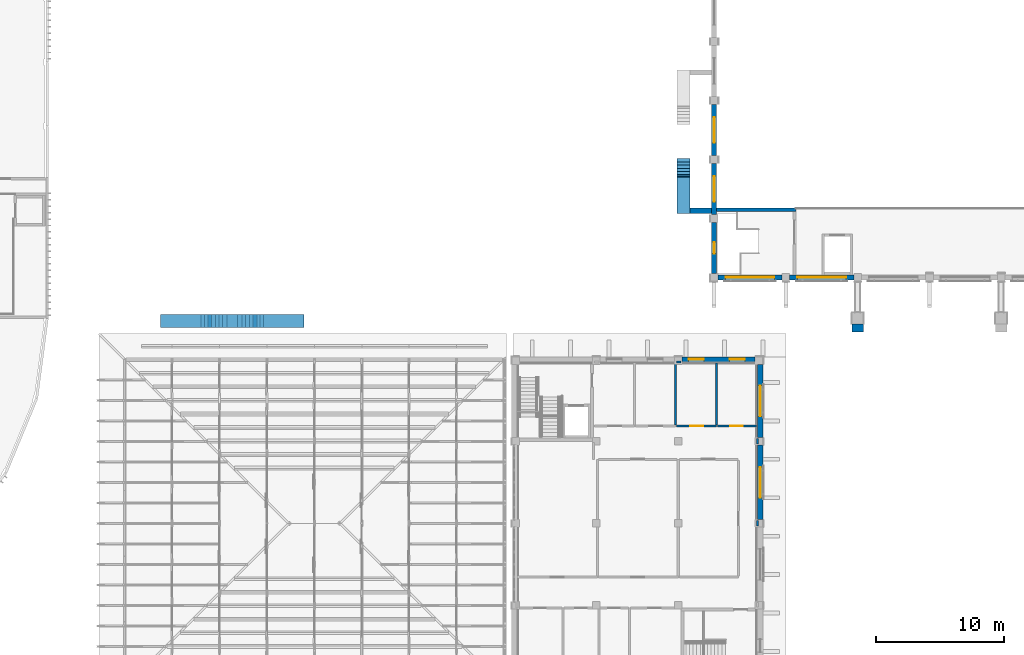
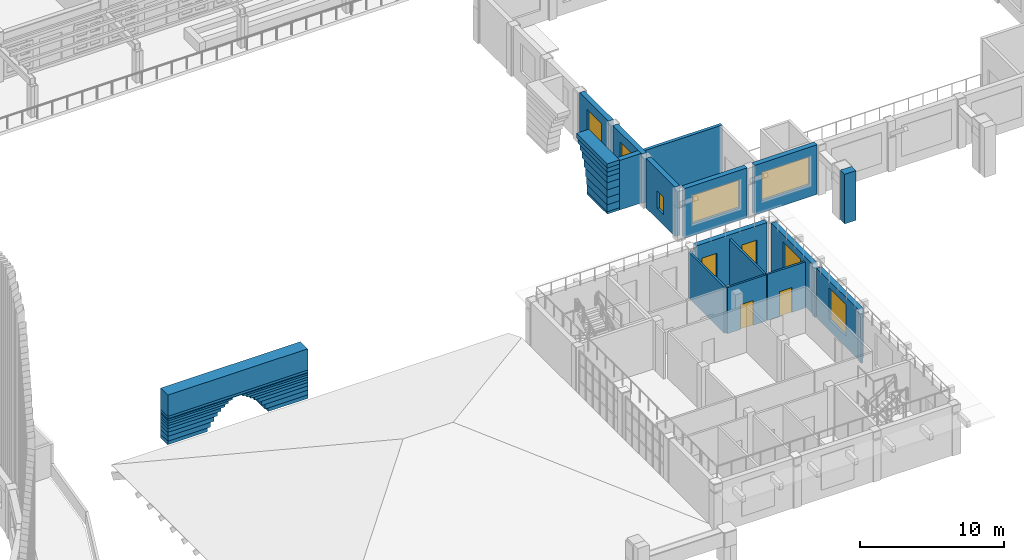
# One storey, part 25 of 68: 46 walls, 9 windows, 2 doors, 11 openings.
"""IFC4 building model written with IfcOpenShell, lengths in metres."""

from ifc_helpers import new_model, si_unit, direction, frame, frame_2d, origin, place, context, subcontext, project, spatial, rectangle, extrude, material, layer, layer_set, type_object, element, fill, save


model = new_model("IFC4")

# Units and contexts
model_context = context("Model", 3, precision=1e-05, world=origin(), true_north=direction((0.0, 1.0)))
body_context = subcontext(model_context, "Body", "Model", "MODEL_VIEW")
ifc_project = project(units=[si_unit("LENGTHUNIT", "METRE"), si_unit("AREAUNIT", "SQUARE_METRE"), si_unit("VOLUMEUNIT", "CUBIC_METRE"), si_unit("PLANEANGLEUNIT", "RADIAN"), si_unit("MASSUNIT", "GRAM", prefix="KILO")], contexts=[model_context])

# Site, building, storey
site_placement = place(None, origin())
site = spatial("IfcSite", under=ifc_project, at=site_placement, CompositionType="ELEMENT")
building_placement = place(site_placement, origin())
building = spatial("IfcBuilding", under=site, at=building_placement, Name="Wasatch Bagh Community Centre", CompositionType="ELEMENT")
storey_placement = place(building_placement, frame((0.0, 0.0, 8.39990234375)))
storey = spatial("IfcBuildingStorey", under=building, at=storey_placement, Name="L02", CompositionType="ELEMENT", Elevation=8.39990234375)

# Walls
ifc_material_1 = material(Name="Concrete C40", Category="concrete")
ifc_layer_1 = layer(ifc_material_1, 0.60009765625)
ifc_layer_set_1 = layer_set([ifc_layer_1], Name="Concrete C40")
wall_type_1 = type_object("IfcWallType", Name="CL-W4", PredefinedType="STANDARD", material=ifc_layer_set_1)
wall_1_placement = place(storey_placement, frame((122.949951171875, 34.25, 0.0), z_axis=(0.0, 0.0, 1.0), x_axis=(1.0, 0.0, 0.0)))
element("IfcWall", 1, at=wall_1_placement, inside=storey, type_object=wall_type_1, Name="CL-W4 pier buttress SHP1", PredefinedType="STANDARD", context=body_context, shape_type="SweptSolid", body=[
    extrude(rectangle(XDim=0.900146484375, YDim=0.60009765625, at=frame_2d((0.4501953125, 0.0))), origin(), (0.0, 0.0, 1.0), 4.2001953125),
])
ifc_layer_2 = layer(ifc_material_1, 1.0)
ifc_layer_set_2 = layer_set([ifc_layer_2], Name="Concrete C40")
wall_type_2 = type_object("IfcWallType", Name="DHPQ-W4", PredefinedType="STANDARD", material=ifc_layer_set_2)
for number, where, z_axis, x_axis, name in (
    (2, (69.0, 34.800048828125, 0.0), (0.0, 0.0, 1.0), (1.0, 0.0, 0.0), "DHPQ-W4 iwan arch spandrel"),
    (3, (80.199951171875, 34.800048828125, 0.0), (0.0, 0.0, 1.0), (-1.0, 0.0, 0.0), "DHPQ-W4 iwan arch spandrel"),
):
    element("IfcWall", number, at=place(storey_placement, frame(where, z_axis=z_axis, x_axis=x_axis)), inside=storey, type_object=wall_type_2, Name=name, PredefinedType="STANDARD", context=body_context, shape_type="SweptSolid", body=[
        extrude(rectangle(XDim=3.171142578125, YDim=1.0, at=frame_2d((1.58544921875, 0.0))), origin(), (0.0, 0.0, 1.0), 0.300048828125),
    ])
for number, where, z_axis, x_axis, name in (
    (4, (69.0, 34.800048828125, 0.300048828125), (0.0, 0.0, 1.0), (1.0, 0.0, 0.0), "DHPQ-W4 iwan arch spandrel"),
    (5, (80.199951171875, 34.800048828125, 0.300048828125), (0.0, 0.0, 1.0), (-1.0, 0.0, 0.0), "DHPQ-W4 iwan arch spandrel"),
):
    element("IfcWall", number, at=place(storey_placement, frame(where, z_axis=z_axis, x_axis=x_axis)), inside=storey, type_object=wall_type_2, Name=name, PredefinedType="STANDARD", context=body_context, shape_type="SweptSolid", body=[
        extrude(rectangle(XDim=3.424072265625, YDim=1.0, at=frame_2d((1.7119140625, 0.0))), origin(), (0.0, 0.0, 1.0), 0.400146484375),
    ])
for number, where, z_axis, x_axis, name in (
    (6, (69.0, 34.800048828125, 0.7001953125), (0.0, 0.0, 1.0), (1.0, 0.0, 0.0), "DHPQ-W4 iwan arch spandrel"),
    (7, (80.199951171875, 34.800048828125, 0.7001953125), (0.0, 0.0, 1.0), (-1.0, 0.0, 0.0), "DHPQ-W4 iwan arch spandrel"),
):
    element("IfcWall", number, at=place(storey_placement, frame(where, z_axis=z_axis, x_axis=x_axis)), inside=storey, type_object=wall_type_2, Name=name, PredefinedType="STANDARD", context=body_context, shape_type="SweptSolid", body=[
        extrude(rectangle(XDim=3.687744140625, YDim=1.0, at=frame_2d((1.84375, 0.0))), origin(), (0.0, 0.0, 1.0), 0.349853515625),
    ])
for number, where, z_axis, x_axis, name in (
    (8, (69.0, 34.800048828125, 1.050048828125), (0.0, 0.0, 1.0), (1.0, 0.0, 0.0), "DHPQ-W4 iwan arch spandrel"),
    (9, (80.199951171875, 34.800048828125, 1.050048828125), (0.0, 0.0, 1.0), (-1.0, 0.0, 0.0), "DHPQ-W4 iwan arch spandrel"),
):
    element("IfcWall", number, at=place(storey_placement, frame(where, z_axis=z_axis, x_axis=x_axis)), inside=storey, type_object=wall_type_2, Name=name, PredefinedType="STANDARD", context=body_context, shape_type="SweptSolid", body=[
        extrude(rectangle(XDim=3.9736328125, YDim=1.0, at=frame_2d((1.98681640625, 0.0))), origin(), (0.0, 0.0, 1.0), 0.300048828125),
    ])
for number, where, z_axis, x_axis, name in (
    (10, (69.0, 34.800048828125, 1.35009765625), (0.0, 0.0, 1.0), (1.0, 0.0, 0.0), "DHPQ-W4 iwan arch spandrel"),
    (11, (80.199951171875, 34.800048828125, 1.35009765625), (0.0, 0.0, 1.0), (-1.0, 0.0, 0.0), "DHPQ-W4 iwan arch spandrel"),
):
    element("IfcWall", number, at=place(storey_placement, frame(where, z_axis=z_axis, x_axis=x_axis)), inside=storey, type_object=wall_type_2, Name=name, PredefinedType="STANDARD", context=body_context, shape_type="SweptSolid", body=[
        extrude(rectangle(XDim=4.27099609375, YDim=1.0, at=frame_2d((2.135498046875, 0.0))), origin(), (0.0, 0.0, 1.0), 0.25),
    ])
for number, where, z_axis, x_axis, name in (
    (12, (69.0, 34.800048828125, 1.60009765625), (0.0, 0.0, 1.0), (1.0, 0.0, 0.0), "DHPQ-W4 iwan arch spandrel"),
    (13, (80.199951171875, 34.800048828125, 1.60009765625), (0.0, 0.0, 1.0), (-1.0, 0.0, 0.0), "DHPQ-W4 iwan arch spandrel"),
):
    element("IfcWall", number, at=place(storey_placement, frame(where, z_axis=z_axis, x_axis=x_axis)), inside=storey, type_object=wall_type_2, Name=name, PredefinedType="STANDARD", context=body_context, shape_type="SweptSolid", body=[
        extrude(rectangle(XDim=4.5673828125, YDim=1.0, at=frame_2d((2.28369140625, 0.0))), origin(), (0.0, 0.0, 1.0), 0.199951171875),
    ])
for number, where, z_axis, x_axis, name in (
    (14, (69.0, 34.800048828125, 1.800048828125), (0.0, 0.0, 1.0), (1.0, 0.0, 0.0), "DHPQ-W4 iwan arch spandrel"),
    (15, (80.199951171875, 34.800048828125, 1.800048828125), (0.0, 0.0, 1.0), (-1.0, 0.0, 0.0), "DHPQ-W4 iwan arch spandrel"),
):
    element("IfcWall", number, at=place(storey_placement, frame(where, z_axis=z_axis, x_axis=x_axis)), inside=storey, type_object=wall_type_2, Name=name, PredefinedType="STANDARD", context=body_context, shape_type="SweptSolid", body=[
        extrude(rectangle(XDim=4.847412109375, YDim=1.0, at=frame_2d((2.423828125, 0.0))), origin(), (0.0, 0.0, 1.0), 0.199951171875),
    ])
for number, where, z_axis, x_axis, name in (
    (16, (69.0, 34.800048828125, 2.0), (0.0, 0.0, 1.0), (1.0, 0.0, 0.0), "DHPQ-W4 iwan arch spandrel"),
    (17, (80.199951171875, 34.800048828125, 2.0), (0.0, 0.0, 1.0), (-1.0, 0.0, 0.0), "DHPQ-W4 iwan arch spandrel"),
):
    element("IfcWall", number, at=place(storey_placement, frame(where, z_axis=z_axis, x_axis=x_axis)), inside=storey, type_object=wall_type_2, Name=name, PredefinedType="STANDARD", context=body_context, shape_type="SweptSolid", body=[
        extrude(rectangle(XDim=5.181396484375, YDim=1.0, at=frame_2d((2.5908203125, 0.0))), origin(), (0.0, 0.0, 1.0), 0.150146484375),
    ])
wall_2_placement = place(storey_placement, frame((69.0, 34.800048828125, 2.150146484375), z_axis=(0.0, 0.0, 1.0), x_axis=(1.0, 0.0, 0.0)))
element("IfcWall", 18, at=wall_2_placement, inside=storey, type_object=wall_type_2, Name="DHPQ-W4 iwan arch spandrel", PredefinedType="STANDARD", context=body_context, shape_type="SweptSolid", body=[
    extrude(rectangle(XDim=11.199951171875, YDim=1.0, at=frame_2d((5.60009765625, 0.0))), origin(), (0.0, 0.0, 1.0), 0.050048828125),
])
wall_3_placement = place(storey_placement, frame((69.0, 34.800048828125, 2.2001953125), z_axis=(0.0, 0.0, 1.0), x_axis=(1.0, 0.0, 0.0)))
element("IfcWall", 19, at=wall_3_placement, inside=storey, type_object=wall_type_2, Name="DHPQ-W4 iwan arch band", PredefinedType="STANDARD", context=body_context, shape_type="SweptSolid", body=[
    extrude(rectangle(XDim=11.199951171875, YDim=1.0, at=frame_2d((5.60009765625, 0.0))), origin(), (0.0, 0.0, 1.0), 0.199951171875),
])
wall_4_placement = place(storey_placement, frame((69.0, 34.800048828125, 2.400146484375), z_axis=(0.0, 0.0, 1.0), x_axis=(1.0, 0.0, 0.0)))
element("IfcWall", 20, at=wall_4_placement, inside=storey, type_object=wall_type_2, Name="DHPQ-W4 iwan cornice band", PredefinedType="STANDARD", context=body_context, shape_type="SweptSolid", body=[
    extrude(rectangle(XDim=11.199951171875, YDim=1.0, at=frame_2d((5.60009765625, 0.0))), origin(), (0.0, 0.0, 1.0), 1.800048828125),
])

# Wall, openings, windows
ifc_layer_3 = layer(ifc_material_1, 0.39990234375)
ifc_layer_set_3 = layer_set([ifc_layer_3], Name="Concrete C40")
wall_type_3 = type_object("IfcWallType", Name="KW RC WALL 400 solidwall", PredefinedType="SOLIDWALL", material=ifc_layer_set_3)
wall_5_placement = place(storey_placement, frame((109.699951171875, 31.800048828125, 0.0), z_axis=(0.0, 0.0, 1.0), x_axis=(1.0, 0.0, 0.0)))
wall_5 = element("IfcWall", 21, at=wall_5_placement, inside=storey, type_object=wall_type_3, Name="KW.wall.L02.06", PredefinedType="SOLIDWALL", context=body_context, shape_type="SweptSolid", body=[
    extrude(rectangle(XDim=5.699951171875, YDim=0.39990234375, at=frame_2d((2.85009765625, 0.0))), origin(), (0.0, 0.0, 1.0), 4.2001953125),
])
opening_1_placement = place(wall_5_placement, frame((0.5, 0.0, 0.89990234375)))
opening_1 = element("IfcOpeningElement", 22, at=opening_1_placement, cuts=wall_5, Name="Opening 2K-W06", PredefinedType="OPENING", context=body_context, shape_type="SweptSolid", body=[
    extrude(rectangle(XDim=1.199951171875, YDim=2.10009765625, at=frame_2d((0.60009765625, 1.050048828125))), frame((0.0, 0.2099609375, 0.0), z_axis=(0.0, -1.0, 0.0), x_axis=(1.0, 0.0, 0.0)), (0.0, 0.0, 1.0), 0.419921875),
])
opening_2_placement = place(wall_5_placement, frame((3.699951171875, 0.0, 0.89990234375)))
opening_2 = element("IfcOpeningElement", 23, at=opening_2_placement, cuts=wall_5, Name="Opening 2K-W07", PredefinedType="OPENING", context=body_context, shape_type="SweptSolid", body=[
    extrude(rectangle(XDim=1.199951171875, YDim=2.10009765625, at=frame_2d((0.60009765625, 1.050048828125))), frame((0.0, 0.2099609375, 0.0), z_axis=(0.0, -1.0, 0.0), x_axis=(1.0, 0.0, 0.0)), (0.0, 0.0, 1.0), 0.419921875),
])
ifc_material_2 = material(Name="Aluminium frame with double glazing", Category="aluminium")
window_type_1 = type_object("IfcWindowType", Name="KW window 1200x2100", PartitioningType="SINGLE_PANEL", PredefinedType="WINDOW", material=ifc_material_2)
window_1_placement = place(opening_1_placement, origin())
window_1 = element("IfcWindow", 24, at=window_1_placement, inside=storey, type_object=window_type_1, Name="KW.window.L02.2K-W06", OverallHeight=2.10009765625, OverallWidth=1.199951171875, PartitioningType="SINGLE_PANEL", PredefinedType="WINDOW", context=body_context, shape_type="SweptSolid", body=[
    extrude(rectangle(XDim=1.199951171875, YDim=2.10009765625, at=frame_2d((0.60009765625, 1.050048828125))), frame((0.0, 0.030029296875, 0.0), z_axis=(0.0, -1.0, 0.0), x_axis=(1.0, 0.0, 0.0)), (0.0, 0.0, 1.0), 0.06005859375),
])
fill(opening_1, window_1)
window_2_placement = place(opening_2_placement, origin())
window_2 = element("IfcWindow", 25, at=window_2_placement, inside=storey, type_object=window_type_1, Name="KW.window.L02.2K-W07", OverallHeight=2.10009765625, OverallWidth=1.199951171875, PartitioningType="SINGLE_PANEL", PredefinedType="WINDOW", context=body_context, shape_type="SweptSolid", body=[
    extrude(rectangle(XDim=1.199951171875, YDim=2.10009765625, at=frame_2d((0.60009765625, 1.050048828125))), frame((0.0, 0.030029296875, 0.0), z_axis=(0.0, -1.0, 0.0), x_axis=(1.0, 0.0, 0.0)), (0.0, 0.0, 1.0), 0.06005859375),
])
fill(opening_2, window_2)

# Wall, opening, window
wall_6_placement = place(storey_placement, frame((115.800048828125, 25.10009765625, 0.0), z_axis=(0.0, 0.0, 1.0), x_axis=(0.0, -1.0, 0.0)))
wall_6 = element("IfcWall", 26, at=wall_6_placement, inside=storey, type_object=wall_type_3, Name="KW.wall.L02.13", PredefinedType="SOLIDWALL", context=body_context, shape_type="SweptSolid", body=[
    extrude(rectangle(XDim=5.800048828125, YDim=0.39990234375, at=frame_2d((2.89990234375, 0.0))), origin(), (0.0, 0.0, 1.0), 4.2001953125),
])
opening_3_placement = place(wall_6_placement, frame((1.699951171875, 0.0, 0.89990234375)))
opening_3 = element("IfcOpeningElement", 27, at=opening_3_placement, cuts=wall_6, Name="Opening 2K-W09", PredefinedType="OPENING", context=body_context, shape_type="SweptSolid", body=[
    extrude(rectangle(XDim=2.39990234375, YDim=2.699951171875, at=frame_2d((1.199951171875, 1.35009765625))), frame((0.0, 0.2099609375, 0.0), z_axis=(0.0, -1.0, 0.0), x_axis=(1.0, 0.0, 0.0)), (0.0, 0.0, 1.0), 0.419921875),
])
window_type_2 = type_object("IfcWindowType", Name="KW window 2400x2700", PartitioningType="SINGLE_PANEL", PredefinedType="WINDOW", material=ifc_material_2)
window_3_placement = place(opening_3_placement, origin())
window_3 = element("IfcWindow", 28, at=window_3_placement, inside=storey, type_object=window_type_2, Name="KW.window.L02.2K-W09", OverallHeight=2.699951171875, OverallWidth=2.39990234375, PartitioningType="SINGLE_PANEL", PredefinedType="WINDOW", context=body_context, shape_type="SweptSolid", body=[
    extrude(rectangle(XDim=2.39990234375, YDim=2.699951171875, at=frame_2d((1.199951171875, 1.35009765625))), frame((0.0, 0.030029296875, 0.0), z_axis=(0.0, -1.0, 0.0), x_axis=(1.0, 0.0, 0.0)), (0.0, 0.0, 1.0), 0.06005859375),
])
fill(opening_3, window_3)

wall_7_placement = place(storey_placement, frame((115.800048828125, 31.39990234375, 0.0), z_axis=(0.0, 0.0, 1.0), x_axis=(0.0, -1.0, 0.0)))
wall_7 = element("IfcWall", 29, at=wall_7_placement, inside=storey, type_object=wall_type_3, Name="KW.wall.L02.14", PredefinedType="SOLIDWALL", context=body_context, shape_type="SweptSolid", body=[
    extrude(rectangle(XDim=5.699951171875, YDim=0.39990234375, at=frame_2d((2.85009765625, 0.0))), origin(), (0.0, 0.0, 1.0), 4.2001953125),
])
opening_4_placement = place(wall_7_placement, frame((1.64990234375, 0.0, 0.89990234375)))
opening_4 = element("IfcOpeningElement", 30, at=opening_4_placement, cuts=wall_7, Name="Opening 2K-W10", PredefinedType="OPENING", context=body_context, shape_type="SweptSolid", body=[
    extrude(rectangle(XDim=2.39990234375, YDim=2.699951171875, at=frame_2d((1.199951171875, 1.35009765625))), frame((0.0, 0.2099609375, 0.0), z_axis=(0.0, -1.0, 0.0), x_axis=(1.0, 0.0, 0.0)), (0.0, 0.0, 1.0), 0.419921875),
])
window_4_placement = place(opening_4_placement, origin())
window_4 = element("IfcWindow", 31, at=window_4_placement, inside=storey, type_object=window_type_2, Name="KW.window.L02.2K-W10", OverallHeight=2.699951171875, OverallWidth=2.39990234375, PartitioningType="SINGLE_PANEL", PredefinedType="WINDOW", context=body_context, shape_type="SweptSolid", body=[
    extrude(rectangle(XDim=2.39990234375, YDim=2.699951171875, at=frame_2d((1.199951171875, 1.35009765625))), frame((0.0, 0.030029296875, 0.0), z_axis=(0.0, -1.0, 0.0), x_axis=(1.0, 0.0, 0.0)), (0.0, 0.0, 1.0), 0.06005859375),
])
fill(opening_4, window_4)

# Walls
ifc_material_3 = material(Name="Hollow block masonry, medium weight (ASTM Grade N)", Category="masonry")
ifc_layer_4 = layer(ifc_material_3, 0.159912109375)
ifc_layer_set_4 = layer_set([ifc_layer_4], Name="Hollow block masonry, medium weight (ASTM Grade N)")
wall_type_4 = type_object("IfcWallType", Name="KW partition 160", PredefinedType="PARTITIONING", material=ifc_layer_set_4)
wall_8_placement = place(storey_placement, frame((109.199951171875, 26.679931640625, 0.0), z_axis=(0.0, 0.0, 1.0), x_axis=(0.0, 1.0, 0.0)))
element("IfcWall", 32, at=wall_8_placement, inside=storey, type_object=wall_type_4, Name="KW.part.L02.017", PredefinedType="PARTITIONING", context=body_context, shape_type="SweptSolid", body=[
    extrude(rectangle(XDim=4.920166015625, YDim=0.159912109375, at=frame_2d((2.4599609375, 0.0))), origin(), (0.0, 0.0, 1.0), 3.900146484375),
])
wall_9_placement = place(storey_placement, frame((109.6201171875, 31.60009765625, 0.0), z_axis=(0.0, 0.0, 1.0), x_axis=(-1.0, 0.0, 0.0)))
element("IfcWall", 33, at=wall_9_placement, inside=storey, type_object=wall_type_4, Name="KW.part.L02.022", PredefinedType="PARTITIONING", context=body_context, shape_type="SweptSolid", body=[
    extrude(rectangle(XDim=0.340087890625, YDim=0.159912109375, at=frame_2d((0.169921875, 0.0))), origin(), (0.0, 0.0, 1.0), 3.900146484375),
])

# Wall, opening, door
wall_10_placement = place(storey_placement, frame((112.39990234375, 26.60009765625, 0.0), z_axis=(0.0, 0.0, 1.0), x_axis=(-1.0, 0.0, 0.0)))
wall_10 = element("IfcWall", 34, at=wall_10_placement, inside=storey, type_object=wall_type_4, Name="KW.part.L02.023", PredefinedType="PARTITIONING", context=body_context, shape_type="SweptSolid", body=[
    extrude(rectangle(XDim=3.119873046875, YDim=0.159912109375, at=frame_2d((1.56005859375, 0.0))), origin(), (0.0, 0.0, 1.0), 3.900146484375),
])
opening_5_placement = place(wall_10_placement, frame((1.050048828125, 0.0, 0.0)))
opening_5 = element("IfcOpeningElement", 35, at=opening_5_placement, cuts=wall_10, Name="Opening 2K-15", PredefinedType="OPENING", context=body_context, shape_type="SweptSolid", body=[
    extrude(rectangle(XDim=1.0, YDim=2.10009765625, at=frame_2d((0.5, 1.050048828125))), frame((0.0, 0.08984375, 0.0), z_axis=(0.0, -1.0, 0.0), x_axis=(1.0, 0.0, 0.0)), (0.0, 0.0, 1.0), 0.179931640625),
])
ifc_material_4 = material(Name="Painted hardwood timber", Category="wood")
door_type = type_object("IfcDoorType", Name="KW door 1000x2100 single", OperationType="SINGLE_SWING_LEFT", PredefinedType="DOOR", material=ifc_material_4)
door_1_placement = place(opening_5_placement, origin())
door_1 = element("IfcDoor", 36, at=door_1_placement, inside=storey, type_object=door_type, Name="KW.door.L02.2K-15", OperationType="SINGLE_SWING_LEFT", OverallHeight=2.10009765625, OverallWidth=1.0, PredefinedType="DOOR", context=body_context, shape_type="SweptSolid", body=[
    extrude(rectangle(XDim=1.0, YDim=2.10009765625, at=frame_2d((0.5, 1.050048828125))), frame((0.0, 0.02490234375, 0.0), z_axis=(0.0, -1.0, 0.0), x_axis=(1.0, 0.0, 0.0)), (0.0, 0.0, 1.0), 0.050048828125),
])
fill(opening_5, door_1)

# Wall
wall_11_placement = place(storey_placement, frame((112.39990234375, 26.679931640625, 0.0), z_axis=(0.0, 0.0, 1.0), x_axis=(0.0, 1.0, 0.0)))
element("IfcWall", 37, at=wall_11_placement, inside=storey, type_object=wall_type_4, Name="KW.part.L02.024", PredefinedType="PARTITIONING", context=body_context, shape_type="SweptSolid", body=[
    extrude(rectangle(XDim=4.840087890625, YDim=0.159912109375, at=frame_2d((2.419921875, 0.0))), origin(), (0.0, 0.0, 1.0), 3.900146484375),
])

# Wall, opening, door
wall_12_placement = place(storey_placement, frame((115.52001953125, 26.60009765625, 0.0), z_axis=(0.0, 0.0, 1.0), x_axis=(-1.0, 0.0, 0.0)))
wall_12 = element("IfcWall", 38, at=wall_12_placement, inside=storey, type_object=wall_type_4, Name="KW.part.L02.028", PredefinedType="PARTITIONING", context=body_context, shape_type="SweptSolid", body=[
    extrude(rectangle(XDim=3.0400390625, YDim=0.159912109375, at=frame_2d((1.52001953125, 0.0))), origin(), (0.0, 0.0, 1.0), 3.900146484375),
])
opening_6_placement = place(wall_12_placement, frame((1.070068359375, 0.0, 0.0)))
opening_6 = element("IfcOpeningElement", 39, at=opening_6_placement, cuts=wall_12, Name="Opening 2K-16", PredefinedType="OPENING", context=body_context, shape_type="SweptSolid", body=[
    extrude(rectangle(XDim=1.0, YDim=2.10009765625, at=frame_2d((0.5, 1.050048828125))), frame((0.0, 0.08984375, 0.0), z_axis=(0.0, -1.0, 0.0), x_axis=(1.0, 0.0, 0.0)), (0.0, 0.0, 1.0), 0.179931640625),
])
door_2_placement = place(opening_6_placement, origin())
door_2 = element("IfcDoor", 40, at=door_2_placement, inside=storey, type_object=door_type, Name="KW.door.L02.2K-16", OperationType="SINGLE_SWING_LEFT", OverallHeight=2.10009765625, OverallWidth=1.0, PredefinedType="DOOR", context=body_context, shape_type="SweptSolid", body=[
    extrude(rectangle(XDim=1.0, YDim=2.10009765625, at=frame_2d((0.5, 1.050048828125))), frame((0.0, 0.02490234375, 0.0), z_axis=(0.0, -1.0, 0.0), x_axis=(1.0, 0.0, 0.0)), (0.0, 0.0, 1.0), 0.050048828125),
])
fill(opening_6, door_2)

# Walls
wall_13_placement = place(storey_placement, frame((115.60009765625, 18.780029296875, 0.0), z_axis=(0.0, 0.0, 1.0), x_axis=(0.0, 1.0, 0.0)))
element("IfcWall", 41, at=wall_13_placement, inside=storey, type_object=wall_type_4, Name="KW.part.L02.030", PredefinedType="PARTITIONING", context=body_context, shape_type="SweptSolid", body=[
    extrude(rectangle(XDim=0.43994140625, YDim=0.159912109375, at=frame_2d((0.219970703125, 0.0))), origin(), (0.0, 0.0, 1.0), 3.900146484375),
])
wall_14_placement = place(storey_placement, frame((115.60009765625, 25.179931640625, 0.0), z_axis=(0.0, 0.0, 1.0), x_axis=(0.0, 1.0, 0.0)))
element("IfcWall", 42, at=wall_14_placement, inside=storey, type_object=wall_type_4, Name="KW.part.L02.031", PredefinedType="PARTITIONING", context=body_context, shape_type="SweptSolid", body=[
    extrude(rectangle(XDim=0.440185546875, YDim=0.159912109375, at=frame_2d((0.22021484375, 0.0))), origin(), (0.0, 0.0, 1.0), 3.900146484375),
])
ifc_layer_5 = layer(ifc_material_1, 0.25)
ifc_layer_set_5 = layer_set([ifc_layer_5], Name="Concrete C40")
wall_type_5 = type_object("IfcWallType", Name="SH RC WALL 250 shear", PredefinedType="SHEAR", material=ifc_layer_set_5)
wall_15_placement = place(storey_placement, frame((112.39990234375, 43.47509765625, 0.0), z_axis=(0.0, 0.0, 1.0), x_axis=(1.0, 0.0, 0.0)))
element("IfcWall", 43, at=wall_15_placement, inside=storey, type_object=wall_type_5, Name="SH.core.ST1.L02.N", PredefinedType="SHEAR", context=body_context, shape_type="SweptSolid", body=[
    extrude(rectangle(XDim=6.2001953125, YDim=0.25, at=frame_2d((3.10009765625, 0.0))), origin(), (0.0, 0.0, 1.0), 4.2001953125),
])

# Wall, opening, window
ifc_layer_6 = layer(ifc_material_1, 0.39990234375)
ifc_layer_set_6 = layer_set([ifc_layer_6], Name="Concrete C40")
wall_type_6 = type_object("IfcWallType", Name="SH RC WALL 400 solidwall", PredefinedType="SOLIDWALL", material=ifc_layer_set_6)
wall_16_placement = place(storey_placement, frame((117.5, 38.199951171875, 0.0), z_axis=(0.0, 0.0, 1.0), x_axis=(-1.0, 0.0, 0.0)))
wall_16 = element("IfcWall", 44, at=wall_16_placement, inside=storey, type_object=wall_type_6, Name="SH.wall.L02.01", PredefinedType="SOLIDWALL", context=body_context, shape_type="SweptSolid", body=[
    extrude(rectangle(XDim=5.0, YDim=0.39990234375, at=frame_2d((2.5, 0.0))), origin(), (0.0, 0.0, 1.0), 4.2001953125),
])
opening_7_placement = place(wall_16_placement, frame((0.60009765625, 0.0, 1.0)))
opening_7 = element("IfcOpeningElement", 45, at=opening_7_placement, cuts=wall_16, Name="Opening 2S-W11", PredefinedType="OPENING", context=body_context, shape_type="SweptSolid", body=[
    extrude(rectangle(XDim=3.800048828125, YDim=2.39990234375, at=frame_2d((1.89990234375, 1.199951171875))), frame((0.0, 0.2099609375, 0.0), z_axis=(0.0, -1.0, 0.0), x_axis=(1.0, 0.0, 0.0)), (0.0, 0.0, 1.0), 0.419921875),
])
window_type_3 = type_object("IfcWindowType", Name="SH window 3800x2400", PartitioningType="SINGLE_PANEL", PredefinedType="WINDOW", material=ifc_material_2)
window_5_placement = place(opening_7_placement, origin())
window_5 = element("IfcWindow", 46, at=window_5_placement, inside=storey, type_object=window_type_3, Name="SH.window.L02.2S-W11", OverallHeight=2.39990234375, OverallWidth=3.800048828125, PartitioningType="SINGLE_PANEL", PredefinedType="WINDOW", context=body_context, shape_type="SweptSolid", body=[
    extrude(rectangle(XDim=3.800048828125, YDim=2.39990234375, at=frame_2d((1.89990234375, 1.199951171875))), frame((0.0, 0.030029296875, 0.0), z_axis=(0.0, -1.0, 0.0), x_axis=(1.0, 0.0, 0.0)), (0.0, 0.0, 1.0), 0.06005859375),
])
fill(opening_7, window_5)

wall_17_placement = place(storey_placement, frame((123.10009765625, 38.199951171875, 0.0), z_axis=(0.0, 0.0, 1.0), x_axis=(-1.0, 0.0, 0.0)))
wall_17 = element("IfcWall", 47, at=wall_17_placement, inside=storey, type_object=wall_type_6, Name="SH.wall.L02.02", PredefinedType="SOLIDWALL", context=body_context, shape_type="SweptSolid", body=[
    extrude(rectangle(XDim=5.0, YDim=0.39990234375, at=frame_2d((2.5, 0.0))), origin(), (0.0, 0.0, 1.0), 4.2001953125),
])
opening_8_placement = place(wall_17_placement, frame((0.60009765625, 0.0, 1.0)))
opening_8 = element("IfcOpeningElement", 48, at=opening_8_placement, cuts=wall_17, Name="Opening 2S-W12", PredefinedType="OPENING", context=body_context, shape_type="SweptSolid", body=[
    extrude(rectangle(XDim=3.800048828125, YDim=2.39990234375, at=frame_2d((1.89990234375, 1.199951171875))), frame((0.0, 0.2099609375, 0.0), z_axis=(0.0, -1.0, 0.0), x_axis=(1.0, 0.0, 0.0)), (0.0, 0.0, 1.0), 0.419921875),
])
window_6_placement = place(opening_8_placement, origin())
window_6 = element("IfcWindow", 49, at=window_6_placement, inside=storey, type_object=window_type_3, Name="SH.window.L02.2S-W12", OverallHeight=2.39990234375, OverallWidth=3.800048828125, PartitioningType="SINGLE_PANEL", PredefinedType="WINDOW", context=body_context, shape_type="SweptSolid", body=[
    extrude(rectangle(XDim=3.800048828125, YDim=2.39990234375, at=frame_2d((1.89990234375, 1.199951171875))), frame((0.0, 0.030029296875, 0.0), z_axis=(0.0, -1.0, 0.0), x_axis=(1.0, 0.0, 0.0)), (0.0, 0.0, 1.0), 0.06005859375),
])
fill(opening_8, window_6)

wall_18_placement = place(storey_placement, frame((112.199951171875, 38.5, 0.0), z_axis=(0.0, 0.0, 1.0), x_axis=(0.0, 1.0, 0.0)))
wall_18 = element("IfcWall", 50, at=wall_18_placement, inside=storey, type_object=wall_type_6, Name="SH.wall.L02.13", PredefinedType="SOLIDWALL", context=body_context, shape_type="SweptSolid", body=[
    extrude(rectangle(XDim=4.0, YDim=0.39990234375, at=frame_2d((2.0, 0.0))), origin(), (0.0, 0.0, 1.0), 4.2001953125),
])
opening_9_placement = place(wall_18_placement, frame((1.550048828125, 0.0, 0.89990234375)))
opening_9 = element("IfcOpeningElement", 51, at=opening_9_placement, cuts=wall_18, Name="Opening 2S-W01", PredefinedType="OPENING", context=body_context, shape_type="SweptSolid", body=[
    extrude(rectangle(XDim=0.89990234375, YDim=1.5, at=frame_2d((0.449951171875, 0.75))), frame((0.0, 0.2099609375, 0.0), z_axis=(0.0, -1.0, 0.0), x_axis=(1.0, 0.0, 0.0)), (0.0, 0.0, 1.0), 0.419921875),
])
window_type_4 = type_object("IfcWindowType", Name="SH window 900x1500", PartitioningType="SINGLE_PANEL", PredefinedType="WINDOW", material=ifc_material_2)
window_7_placement = place(opening_9_placement, origin())
window_7 = element("IfcWindow", 52, at=window_7_placement, inside=storey, type_object=window_type_4, Name="SH.window.L02.2S-W01", OverallHeight=1.5, OverallWidth=0.89990234375, PartitioningType="SINGLE_PANEL", PredefinedType="WINDOW", context=body_context, shape_type="SweptSolid", body=[
    extrude(rectangle(XDim=0.89990234375, YDim=1.5, at=frame_2d((0.449951171875, 0.75))), frame((0.0, 0.030029296875, 0.0), z_axis=(0.0, -1.0, 0.0), x_axis=(1.0, 0.0, 0.0)), (0.0, 0.0, 1.0), 0.06005859375),
])
fill(opening_9, window_7)

wall_19_placement = place(storey_placement, frame((112.199951171875, 43.10009765625, 0.0), z_axis=(0.0, 0.0, 1.0), x_axis=(0.0, 1.0, 0.0)))
wall_19 = element("IfcWall", 53, at=wall_19_placement, inside=storey, type_object=wall_type_6, Name="SH.wall.L02.14", PredefinedType="SOLIDWALL", context=body_context, shape_type="SweptSolid", body=[
    extrude(rectangle(XDim=4.0, YDim=0.39990234375, at=frame_2d((2.0, 0.0))), origin(), (0.0, 0.0, 1.0), 4.2001953125),
])
opening_10_placement = place(wall_19_placement, frame((1.0, 0.0, 1.0)))
opening_10 = element("IfcOpeningElement", 54, at=opening_10_placement, cuts=wall_19, Name="Opening 2S-W03", PredefinedType="OPENING", context=body_context, shape_type="SweptSolid", body=[
    extrude(rectangle(XDim=2.0, YDim=2.39990234375, at=frame_2d((1.0, 1.199951171875))), frame((0.0, 0.2099609375, 0.0), z_axis=(0.0, -1.0, 0.0), x_axis=(1.0, 0.0, 0.0)), (0.0, 0.0, 1.0), 0.419921875),
])
window_type_5 = type_object("IfcWindowType", Name="SH window 2000x2400", PartitioningType="SINGLE_PANEL", PredefinedType="WINDOW", material=ifc_material_2)
window_8_placement = place(opening_10_placement, origin())
window_8 = element("IfcWindow", 55, at=window_8_placement, inside=storey, type_object=window_type_5, Name="SH.window.L02.2S-W03", OverallHeight=2.39990234375, OverallWidth=2.0, PartitioningType="SINGLE_PANEL", PredefinedType="WINDOW", context=body_context, shape_type="SweptSolid", body=[
    extrude(rectangle(XDim=2.0, YDim=2.39990234375, at=frame_2d((1.0, 1.199951171875))), frame((0.0, 0.030029296875, 0.0), z_axis=(0.0, -1.0, 0.0), x_axis=(1.0, 0.0, 0.0)), (0.0, 0.0, 1.0), 0.06005859375),
])
fill(opening_10, window_8)

wall_20_placement = place(storey_placement, frame((112.199951171875, 47.699951171875, 0.0), z_axis=(0.0, 0.0, 1.0), x_axis=(0.0, 1.0, 0.0)))
wall_20 = element("IfcWall", 56, at=wall_20_placement, inside=storey, type_object=wall_type_6, Name="SH.wall.L02.15", PredefinedType="SOLIDWALL", context=body_context, shape_type="SweptSolid", body=[
    extrude(rectangle(XDim=4.0, YDim=0.39990234375, at=frame_2d((2.0, 0.0))), origin(), (0.0, 0.0, 1.0), 4.2001953125),
])
opening_11_placement = place(wall_20_placement, frame((1.0, 0.0, 1.0)))
opening_11 = element("IfcOpeningElement", 57, at=opening_11_placement, cuts=wall_20, Name="Opening 2S-W04", PredefinedType="OPENING", context=body_context, shape_type="SweptSolid", body=[
    extrude(rectangle(XDim=2.0, YDim=2.39990234375, at=frame_2d((1.0, 1.199951171875))), frame((0.0, 0.2099609375, 0.0), z_axis=(0.0, -1.0, 0.0), x_axis=(1.0, 0.0, 0.0)), (0.0, 0.0, 1.0), 0.419921875),
])
window_9_placement = place(opening_11_placement, origin())
window_9 = element("IfcWindow", 58, at=window_9_placement, inside=storey, type_object=window_type_5, Name="SH.window.L02.2S-W04", OverallHeight=2.39990234375, OverallWidth=2.0, PartitioningType="SINGLE_PANEL", PredefinedType="WINDOW", context=body_context, shape_type="SweptSolid", body=[
    extrude(rectangle(XDim=2.0, YDim=2.39990234375, at=frame_2d((1.0, 1.199951171875))), frame((0.0, 0.030029296875, 0.0), z_axis=(0.0, -1.0, 0.0), x_axis=(1.0, 0.0, 0.0)), (0.0, 0.0, 1.0), 0.06005859375),
])
fill(opening_11, window_9)

# Walls
ifc_layer_7 = layer(ifc_material_1, 1.0)
ifc_layer_set_7 = layer_set([ifc_layer_7], Name="Concrete C40")
wall_type_7 = type_object("IfcWallType", Name="SHPQ-W4", PredefinedType="STANDARD", material=ifc_layer_set_7)
wall_21_placement = place(storey_placement, frame((109.800048828125, 43.199951171875, 0.0), z_axis=(0.0, 0.0, 1.0), x_axis=(0.0, 1.0, 0.0)))
element("IfcWall", 59, at=wall_21_placement, inside=storey, type_object=wall_type_7, Name="SHPQ-W4 iwan arch spandrel", PredefinedType="STANDARD", context=body_context, shape_type="SweptSolid", body=[
    extrude(rectangle(XDim=2.800048828125, YDim=1.0, at=frame_2d((1.39990234375, 0.0))), origin(), (0.0, 0.0, 1.0), 0.2001953125),
])
wall_22_placement = place(storey_placement, frame((109.800048828125, 43.199951171875, 0.2001953125), z_axis=(0.0, 0.0, 1.0), x_axis=(0.0, 1.0, 0.0)))
element("IfcWall", 60, at=wall_22_placement, inside=storey, type_object=wall_type_7, Name="SHPQ-W4 iwan arch spandrel", PredefinedType="STANDARD", context=body_context, shape_type="SweptSolid", body=[
    extrude(rectangle(XDim=2.825927734375, YDim=1.0, at=frame_2d((1.4130859375, 0.0))), origin(), (0.0, 0.0, 1.0), 0.599853515625),
])
wall_23_placement = place(storey_placement, frame((109.800048828125, 43.199951171875, 0.800048828125), z_axis=(0.0, 0.0, 1.0), x_axis=(0.0, 1.0, 0.0)))
element("IfcWall", 61, at=wall_23_placement, inside=storey, type_object=wall_type_7, Name="SHPQ-W4 iwan arch spandrel", PredefinedType="STANDARD", context=body_context, shape_type="SweptSolid", body=[
    extrude(rectangle(XDim=2.903564453125, YDim=1.0, at=frame_2d((1.45166015625, 0.0))), origin(), (0.0, 0.0, 1.0), 0.60009765625),
])
wall_24_placement = place(storey_placement, frame((109.800048828125, 43.199951171875, 1.400146484375), z_axis=(0.0, 0.0, 1.0), x_axis=(0.0, 1.0, 0.0)))
element("IfcWall", 62, at=wall_24_placement, inside=storey, type_object=wall_type_7, Name="SHPQ-W4 iwan arch spandrel", PredefinedType="STANDARD", context=body_context, shape_type="SweptSolid", body=[
    extrude(rectangle(XDim=3.035400390625, YDim=1.0, at=frame_2d((1.517578125, 0.0))), origin(), (0.0, 0.0, 1.0), 0.64990234375),
])
wall_25_placement = place(storey_placement, frame((109.800048828125, 43.199951171875, 2.050048828125), z_axis=(0.0, 0.0, 1.0), x_axis=(0.0, 1.0, 0.0)))
element("IfcWall", 63, at=wall_25_placement, inside=storey, type_object=wall_type_7, Name="SHPQ-W4 iwan arch spandrel", PredefinedType="STANDARD", context=body_context, shape_type="SweptSolid", body=[
    extrude(rectangle(XDim=3.242919921875, YDim=1.0, at=frame_2d((1.62158203125, 0.0))), origin(), (0.0, 0.0, 1.0), 0.60009765625),
])
wall_26_placement = place(storey_placement, frame((109.800048828125, 43.199951171875, 2.650146484375), z_axis=(0.0, 0.0, 1.0), x_axis=(0.0, 1.0, 0.0)))
element("IfcWall", 64, at=wall_26_placement, inside=storey, type_object=wall_type_7, Name="SHPQ-W4 iwan arch spandrel", PredefinedType="STANDARD", context=body_context, shape_type="SweptSolid", body=[
    extrude(rectangle(XDim=3.49951171875, YDim=1.0, at=frame_2d((1.749755859375, 0.0))), origin(), (0.0, 0.0, 1.0), 0.5),
])
wall_27_placement = place(storey_placement, frame((109.800048828125, 43.199951171875, 3.150146484375), z_axis=(0.0, 0.0, 1.0), x_axis=(0.0, 1.0, 0.0)))
element("IfcWall", 65, at=wall_27_placement, inside=storey, type_object=wall_type_7, Name="SHPQ-W4 iwan arch spandrel", PredefinedType="STANDARD", context=body_context, shape_type="SweptSolid", body=[
    extrude(rectangle(XDim=3.76708984375, YDim=1.0, at=frame_2d((1.883544921875, 0.0))), origin(), (0.0, 0.0, 1.0), 0.39990234375),
])
wall_28_placement = place(storey_placement, frame((109.800048828125, 43.199951171875, 3.550048828125), z_axis=(0.0, 0.0, 1.0), x_axis=(0.0, 1.0, 0.0)))
element("IfcWall", 66, at=wall_28_placement, inside=storey, type_object=wall_type_7, Name="SHPQ-W4 iwan arch spandrel", PredefinedType="STANDARD", context=body_context, shape_type="SweptSolid", body=[
    extrude(rectangle(XDim=4.02099609375, YDim=1.0, at=frame_2d((2.010498046875, 0.0))), origin(), (0.0, 0.0, 1.0), 0.35009765625),
])
wall_29_placement = place(storey_placement, frame((109.800048828125, 43.199951171875, 3.900146484375), z_axis=(0.0, 0.0, 1.0), x_axis=(0.0, 1.0, 0.0)))
element("IfcWall", 67, at=wall_29_placement, inside=storey, type_object=wall_type_7, Name="SHPQ-W4 iwan arch spandrel", PredefinedType="STANDARD", context=body_context, shape_type="SweptSolid", body=[
    extrude(rectangle(XDim=4.2763671875, YDim=1.0, at=frame_2d((2.13818359375, 0.0))), origin(), (0.0, 0.0, 1.0), 0.349853515625),
])
ifc_layer_8 = layer(ifc_material_1, 0.39990234375)
ifc_layer_set_8 = layer_set([ifc_layer_8], Name="Concrete C40")
wall_type_8 = type_object("IfcWallType", Name="SHPQ-W5", PredefinedType="STANDARD", material=ifc_layer_set_8)
wall_30_placement = place(storey_placement, frame((110.300048828125, 43.39990234375, 0.0), z_axis=(0.0, 0.0, 1.0), x_axis=(1.0, 0.0, 0.0)))
element("IfcWall", 68, at=wall_30_placement, inside=storey, type_object=wall_type_8, Name="SHPQ-W5 pishtaq return wall W", PredefinedType="STANDARD", context=body_context, shape_type="SweptSolid", body=[
    extrude(rectangle(XDim=1.699951171875, YDim=0.39990234375, at=frame_2d((0.85009765625, 0.0))), origin(), (0.0, 0.0, 1.0), 4.2001953125),
])

save(model, "model.ifc")
